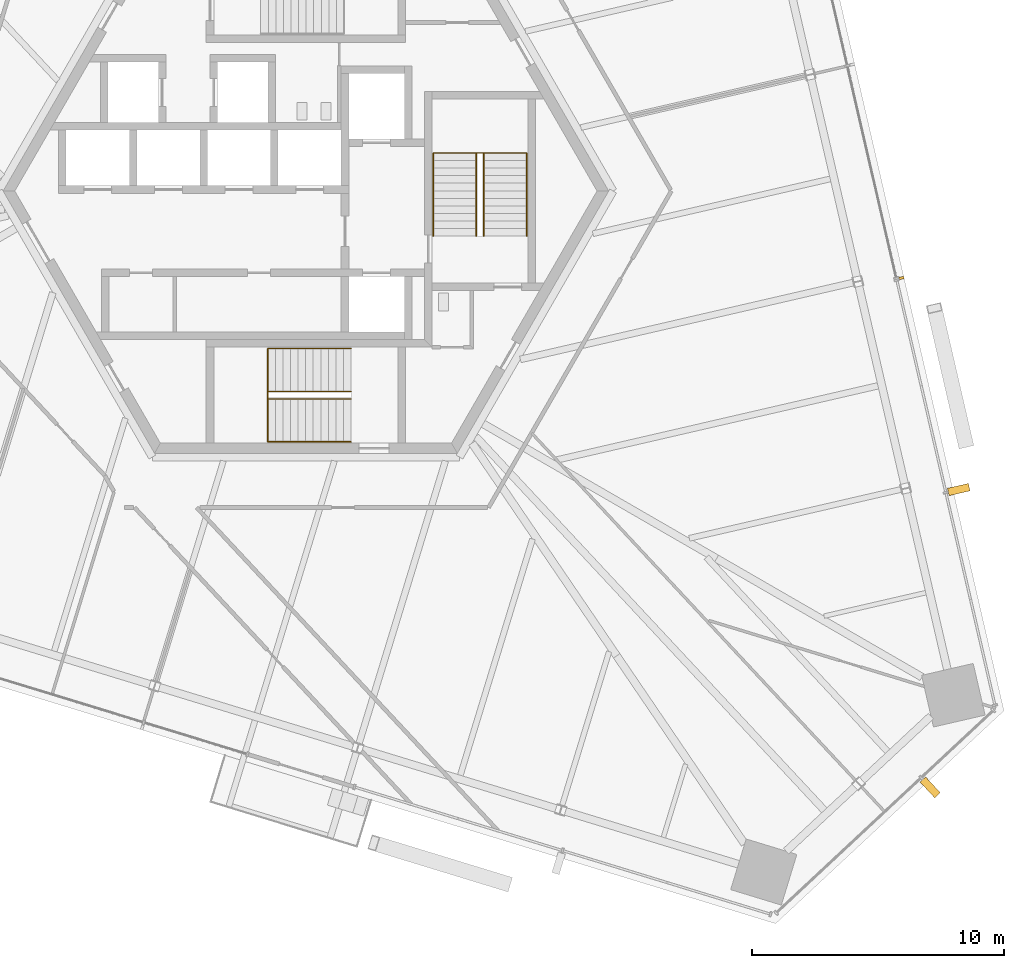
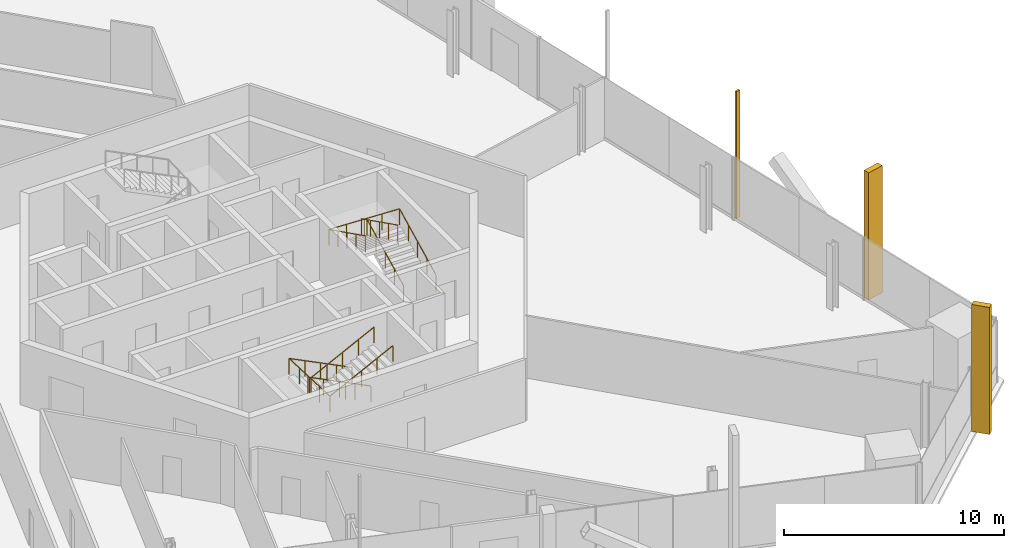
# One storey, part 18 of 23: 4 railings, 3 shading devices.
"""IFC4 building model written with IfcOpenShell, lengths in metres."""

from ifc_helpers import new_model, si_unit, direction, frame, origin, origin_2d, place, context, subcontext, project, spatial, rectangle, circle, extrude, source, transform, mapped, material, type_object, element, save


model = new_model("IFC4")

# Units and contexts
model_context = context("Model", 3, precision=1e-05, world=origin(), true_north=direction((0.0, 1.0)))
body_context = subcontext(model_context, "Body", "Model", "MODEL_VIEW")
ifc_project = project(units=[si_unit("LENGTHUNIT", "METRE"), si_unit("AREAUNIT", "SQUARE_METRE"), si_unit("VOLUMEUNIT", "CUBIC_METRE"), si_unit("PLANEANGLEUNIT", "RADIAN"), si_unit("MASSUNIT", "GRAM", prefix="KILO")], contexts=[model_context])

# Site, building, storey
site_placement = place(None, origin())
site = spatial("IfcSite", under=ifc_project, at=site_placement, CompositionType="ELEMENT")
building_placement = place(site_placement, origin())
building = spatial("IfcBuilding", under=site, at=building_placement, Name="Triune Harvest Tower", CompositionType="ELEMENT")
storey_placement = place(building_placement, frame((0.0, 0.0, 105.5)))
storey = spatial("IfcBuildingStorey", under=building, at=storey_placement, Name="L26", CompositionType="ELEMENT", Elevation=105.5)

# Railings
ifc_material_1 = material(Name="Stainless steel AISI 316", Category="steel")
railing_type = type_object("IfcRailingType", Name="Stair handrail", PredefinedType="HANDRAIL", material=ifc_material_1)
shared_shape_1 = source(origin(), body_context, "Body", "SweptSolid", [
    extrude(circle(Radius=0.02392578125, at=origin_2d()), frame((0.0, 0.0, 0.8759765625), z_axis=(-0.894413956696, 0.0, 0.447240063129), x_axis=(0.0, -1.0, 0.0)), (0.0, 0.0, 1.0), 3.689697265625),
    extrude(circle(Radius=0.02392578125, at=origin_2d()), frame((-3.300048828125, 0.0, 2.52587890625), z_axis=(0.0, -0.999180289278, 0.040481471304), x_axis=(1.0, 0.0, 0.0)), (0.0, 0.0, 1.0), 3.702880859375),
    extrude(circle(Radius=0.02392578125, at=origin_2d()), frame((-3.300048828125, -3.699951171875, 2.67578125), z_axis=(0.894413956696, 0.0, 0.447240063129), x_axis=(0.0, 1.0, 0.0)), (0.0, 0.0, 1.0), 3.689697265625),
    extrude(circle(Radius=0.02099609375, at=origin_2d()), origin(), (0.0, 0.0, 1.0), 0.851806640625),
    extrude(circle(Radius=0.02099609375, at=origin_2d()), frame((-0.824951171875, 0.0, 0.41259765625)), (0.0, 0.0, 1.0), 0.851806640625),
    extrude(circle(Radius=0.02099609375, at=origin_2d()), frame((-1.64990234375, 0.0, 0.8251953125)), (0.0, 0.0, 1.0), 0.851806640625),
    extrude(circle(Radius=0.02099609375, at=origin_2d()), frame((-2.47509765625, 0.0, 1.237548828125)), (0.0, 0.0, 1.0), 0.851806640625),
    extrude(circle(Radius=0.02099609375, at=origin_2d()), frame((-3.300048828125, 0.0, 1.650146484375)), (0.0, 0.0, 1.0), 0.851806640625),
    extrude(circle(Radius=0.02099609375, at=origin_2d()), frame((-3.300048828125, -0.925048828125, 1.6875)), (0.0, 0.0, 1.0), 0.851806640625),
    extrude(circle(Radius=0.02099609375, at=origin_2d()), frame((-3.300048828125, -1.85009765625, 1.72509765625)), (0.0, 0.0, 1.0), 0.851806640625),
    extrude(circle(Radius=0.02099609375, at=origin_2d()), frame((-3.300048828125, -2.77490234375, 1.7626953125)), (0.0, 0.0, 1.0), 0.851806640625),
    extrude(circle(Radius=0.02099609375, at=origin_2d()), frame((-3.300048828125, -3.699951171875, 1.800048828125)), (0.0, 0.0, 1.0), 0.851806640625),
    extrude(circle(Radius=0.02099609375, at=origin_2d()), frame((-2.47509765625, -3.699951171875, 2.212646484375)), (0.0, 0.0, 1.0), 0.851806640625),
    extrude(circle(Radius=0.02099609375, at=origin_2d()), frame((-1.64990234375, -3.699951171875, 2.625)), (0.0, 0.0, 1.0), 0.851806640625),
    extrude(circle(Radius=0.02099609375, at=origin_2d()), frame((-0.824951171875, -3.699951171875, 3.03759765625)), (0.0, 0.0, 1.0), 0.851806640625),
    extrude(circle(Radius=0.02099609375, at=origin_2d()), frame((0.0, -3.699951171875, 3.4501953125)), (0.0, 0.0, 1.0), 0.851806640625),
])
railing_1_placement = place(storey_placement, frame((1.7900390625, -6.239990234375, 0.14990234375)))
element("IfcRailing", 1, at=railing_1_placement, inside=storey, type_object=railing_type, Name="Exit stair south wall handrail", PredefinedType="HANDRAIL", context=body_context, shape_type="MappedRepresentation", body=[
    mapped(shared_shape_1, transform((0.0, 0.0, 0.0), scale=1.0)),
])
shared_shape_2 = source(origin(), body_context, "Body", "SweptSolid", [
    extrude(circle(Radius=0.02392578125, at=origin_2d()), frame((0.0, 0.0, 0.8759765625), z_axis=(-0.894413956696, 0.0, 0.447240063129), x_axis=(0.0, -1.0, 0.0)), (0.0, 0.0, 1.0), 3.689697265625),
    extrude(circle(Radius=0.02392578125, at=origin_2d()), frame((-3.300048828125, 0.0, 2.52587890625), z_axis=(0.0, -0.894572720946, 0.446922417137), x_axis=(1.0, 0.0, 0.0)), (0.0, 0.0, 1.0), 0.33544921875),
    extrude(circle(Radius=0.02392578125, at=origin_2d()), frame((-3.300048828125, -0.300048828125, 2.67578125), z_axis=(0.894413956696, 0.0, 0.447240063129), x_axis=(0.0, 1.0, 0.0)), (0.0, 0.0, 1.0), 3.689697265625),
    extrude(circle(Radius=0.02099609375, at=origin_2d()), origin(), (0.0, 0.0, 1.0), 0.851806640625),
    extrude(circle(Radius=0.02099609375, at=origin_2d()), frame((-0.824951171875, 0.0, 0.41259765625)), (0.0, 0.0, 1.0), 0.851806640625),
    extrude(circle(Radius=0.02099609375, at=origin_2d()), frame((-1.64990234375, 0.0, 0.8251953125)), (0.0, 0.0, 1.0), 0.851806640625),
    extrude(circle(Radius=0.02099609375, at=origin_2d()), frame((-2.47509765625, 0.0, 1.237548828125)), (0.0, 0.0, 1.0), 0.851806640625),
    extrude(circle(Radius=0.02099609375, at=origin_2d()), frame((-3.300048828125, 0.0, 1.650146484375)), (0.0, 0.0, 1.0), 0.851806640625),
    extrude(circle(Radius=0.02099609375, at=origin_2d()), frame((-3.300048828125, -0.300048828125, 1.800048828125)), (0.0, 0.0, 1.0), 0.851806640625),
    extrude(circle(Radius=0.02099609375, at=origin_2d()), frame((-2.47509765625, -0.300048828125, 2.212646484375)), (0.0, 0.0, 1.0), 0.851806640625),
    extrude(circle(Radius=0.02099609375, at=origin_2d()), frame((-1.64990234375, -0.300048828125, 2.625)), (0.0, 0.0, 1.0), 0.851806640625),
    extrude(circle(Radius=0.02099609375, at=origin_2d()), frame((-0.824951171875, -0.300048828125, 3.03759765625)), (0.0, 0.0, 1.0), 0.851806640625),
    extrude(circle(Radius=0.02099609375, at=origin_2d()), frame((0.0, -0.300048828125, 3.4501953125)), (0.0, 0.0, 1.0), 0.851806640625),
])
railing_2_placement = place(storey_placement, frame((1.7900390625, -7.93994140625, 0.14990234375)))
element("IfcRailing", 2, at=railing_2_placement, inside=storey, type_object=railing_type, Name="Exit stair south centre handrail", PredefinedType="HANDRAIL", context=body_context, shape_type="MappedRepresentation", body=[
    mapped(shared_shape_2, transform((0.0, 0.0, 0.0), scale=1.0)),
])
shared_shape_3 = source(origin(), body_context, "Body", "SweptSolid", [
    extrude(circle(Radius=0.02392578125, at=origin_2d()), frame((0.0, 0.0, 0.8759765625), z_axis=(0.0, 0.894413956696, 0.447240063129), x_axis=(-1.0, 0.0, 0.0)), (0.0, 0.0, 1.0), 3.689697265625),
    extrude(circle(Radius=0.02392578125, at=origin_2d()), frame((0.0, 3.300048828125, 2.52587890625), z_axis=(-0.999180289278, 0.0, 0.040481471304), x_axis=(0.0, -1.0, 0.0)), (0.0, 0.0, 1.0), 3.702880859375),
    extrude(circle(Radius=0.02392578125, at=origin_2d()), frame((-3.699951171875, 3.300048828125, 2.67578125), z_axis=(0.0, -0.894413956696, 0.447240063129), x_axis=(1.0, 0.0, 0.0)), (0.0, 0.0, 1.0), 3.689697265625),
    extrude(circle(Radius=0.02099609375, at=origin_2d()), origin(), (0.0, 0.0, 1.0), 0.851806640625),
    extrude(circle(Radius=0.02099609375, at=origin_2d()), frame((0.0, 0.824951171875, 0.41259765625)), (0.0, 0.0, 1.0), 0.851806640625),
    extrude(circle(Radius=0.02099609375, at=origin_2d()), frame((0.0, 1.64990234375, 0.8251953125)), (0.0, 0.0, 1.0), 0.851806640625),
    extrude(circle(Radius=0.02099609375, at=origin_2d()), frame((0.0, 2.47509765625, 1.237548828125)), (0.0, 0.0, 1.0), 0.851806640625),
    extrude(circle(Radius=0.02099609375, at=origin_2d()), frame((0.0, 3.300048828125, 1.650146484375)), (0.0, 0.0, 1.0), 0.851806640625),
    extrude(circle(Radius=0.02099609375, at=origin_2d()), frame((-0.925048828125, 3.300048828125, 1.6875)), (0.0, 0.0, 1.0), 0.851806640625),
    extrude(circle(Radius=0.02099609375, at=origin_2d()), frame((-1.85009765625, 3.300048828125, 1.72509765625)), (0.0, 0.0, 1.0), 0.851806640625),
    extrude(circle(Radius=0.02099609375, at=origin_2d()), frame((-2.77490234375, 3.300048828125, 1.7626953125)), (0.0, 0.0, 1.0), 0.851806640625),
    extrude(circle(Radius=0.02099609375, at=origin_2d()), frame((-3.699951171875, 3.300048828125, 1.800048828125)), (0.0, 0.0, 1.0), 0.851806640625),
    extrude(circle(Radius=0.02099609375, at=origin_2d()), frame((-3.699951171875, 2.47509765625, 2.212646484375)), (0.0, 0.0, 1.0), 0.851806640625),
    extrude(circle(Radius=0.02099609375, at=origin_2d()), frame((-3.699951171875, 1.64990234375, 2.625)), (0.0, 0.0, 1.0), 0.851806640625),
    extrude(circle(Radius=0.02099609375, at=origin_2d()), frame((-3.699951171875, 0.824951171875, 3.03759765625)), (0.0, 0.0, 1.0), 0.851806640625),
    extrude(circle(Radius=0.02099609375, at=origin_2d()), frame((-3.699951171875, 0.0, 3.4501953125)), (0.0, 0.0, 1.0), 0.851806640625),
])
railing_3_placement = place(storey_placement, frame((8.75, -1.7900390625, 0.14990234375)))
element("IfcRailing", 3, at=railing_3_placement, inside=storey, type_object=railing_type, Name="Exit stair east wall handrail", PredefinedType="HANDRAIL", context=body_context, shape_type="MappedRepresentation", body=[
    mapped(shared_shape_3, transform((0.0, 0.0, 0.0), scale=1.0)),
])
shared_shape_4 = source(origin(), body_context, "Body", "SweptSolid", [
    extrude(circle(Radius=0.02392578125, at=origin_2d()), frame((0.0, 0.0, 0.8759765625), z_axis=(0.0, 0.894413956696, 0.447240063129), x_axis=(-1.0, 0.0, 0.0)), (0.0, 0.0, 1.0), 3.689697265625),
    extrude(circle(Radius=0.02392578125, at=origin_2d()), frame((0.0, 3.300048828125, 2.52587890625), z_axis=(-0.894572720946, 0.0, 0.446922417137), x_axis=(0.0, -1.0, 0.0)), (0.0, 0.0, 1.0), 0.33544921875),
    extrude(circle(Radius=0.02392578125, at=origin_2d()), frame((-0.300048828125, 3.300048828125, 2.67578125), z_axis=(0.0, -0.894413956696, 0.447240063129), x_axis=(1.0, 0.0, 0.0)), (0.0, 0.0, 1.0), 3.689697265625),
    extrude(circle(Radius=0.02099609375, at=origin_2d()), origin(), (0.0, 0.0, 1.0), 0.851806640625),
    extrude(circle(Radius=0.02099609375, at=origin_2d()), frame((0.0, 0.824951171875, 0.41259765625)), (0.0, 0.0, 1.0), 0.851806640625),
    extrude(circle(Radius=0.02099609375, at=origin_2d()), frame((0.0, 1.64990234375, 0.8251953125)), (0.0, 0.0, 1.0), 0.851806640625),
    extrude(circle(Radius=0.02099609375, at=origin_2d()), frame((0.0, 2.47509765625, 1.237548828125)), (0.0, 0.0, 1.0), 0.851806640625),
    extrude(circle(Radius=0.02099609375, at=origin_2d()), frame((0.0, 3.300048828125, 1.650146484375)), (0.0, 0.0, 1.0), 0.851806640625),
    extrude(circle(Radius=0.02099609375, at=origin_2d()), frame((-0.300048828125, 3.300048828125, 1.800048828125)), (0.0, 0.0, 1.0), 0.851806640625),
    extrude(circle(Radius=0.02099609375, at=origin_2d()), frame((-0.300048828125, 2.47509765625, 2.212646484375)), (0.0, 0.0, 1.0), 0.851806640625),
    extrude(circle(Radius=0.02099609375, at=origin_2d()), frame((-0.300048828125, 1.64990234375, 2.625)), (0.0, 0.0, 1.0), 0.851806640625),
    extrude(circle(Radius=0.02099609375, at=origin_2d()), frame((-0.300048828125, 0.824951171875, 3.03759765625)), (0.0, 0.0, 1.0), 0.851806640625),
    extrude(circle(Radius=0.02099609375, at=origin_2d()), frame((-0.300048828125, 0.0, 3.4501953125)), (0.0, 0.0, 1.0), 0.851806640625),
])
railing_4_placement = place(storey_placement, frame((7.050048828125, -1.7900390625, 0.14990234375)))
element("IfcRailing", 4, at=railing_4_placement, inside=storey, type_object=railing_type, Name="Exit stair east centre handrail", PredefinedType="HANDRAIL", context=body_context, shape_type="MappedRepresentation", body=[
    mapped(shared_shape_4, transform((0.0, 0.0, 0.0), scale=1.0)),
])

# Shading devices
ifc_material_2 = material(Name="Aluminium bronze anodised", Category="aluminium")
shared_shape_5 = source(origin(), body_context, "Body", "SweptSolid", [
    extrude(rectangle(XDim=0.10009765625, YDim=0.199951171875, at=origin_2d()), origin(), (0.0, 0.0, 1.0), 7.0400390625),
])
shading_device_placement = place(storey_placement, frame((23.6044921875, -3.446533203125, 0.0), z_axis=(0.0, 0.0, 1.0), x_axis=(-0.22495121687, 0.974370027263, 0.0)))
element("IfcShadingDevice", 5, at=shading_device_placement, inside=storey, material=ifc_material_2, Name="FN-1 fin B3-F1.5 L26", ObjectType="FIN", PredefinedType="USERDEFINED", context=body_context, shape_type="MappedRepresentation", body=[
    mapped(shared_shape_5, transform((0.0, 0.0, 0.0), scale=1.0)),
])
shared_shape_6 = source(origin(), body_context, "Body", "SweptSolid", [
    extrude(rectangle(XDim=0.300048828125, YDim=0.85009765625, at=origin_2d()), origin(), (0.0, 0.0, 1.0), 7.0400390625),
])
for number, where, z_axis, x_axis, name in (
    (6, (25.8740234375, -11.83203125, 0.0), (0.0, 0.0, 1.0), (-0.22495121687, 0.974370027263, 0.0), "FN-2 fin B3-F1.3 L26"),
    (7, (24.73974609375, -23.634765625, 0.0), (0.0, 0.0, 1.0), (0.731349946151, 0.682002387287, 0.0), "FN-2 fin B3-F6.3 L26"),
):
    element("IfcShadingDevice", number, at=place(storey_placement, frame(where, z_axis=z_axis, x_axis=x_axis)), inside=storey, material=ifc_material_2, Name=name, ObjectType="FIN", PredefinedType="USERDEFINED", context=body_context, shape_type="MappedRepresentation", body=[
        mapped(shared_shape_6, transform((0.0, 0.0, 0.0), scale=1.0)),
    ])

save(model, "model.ifc")
